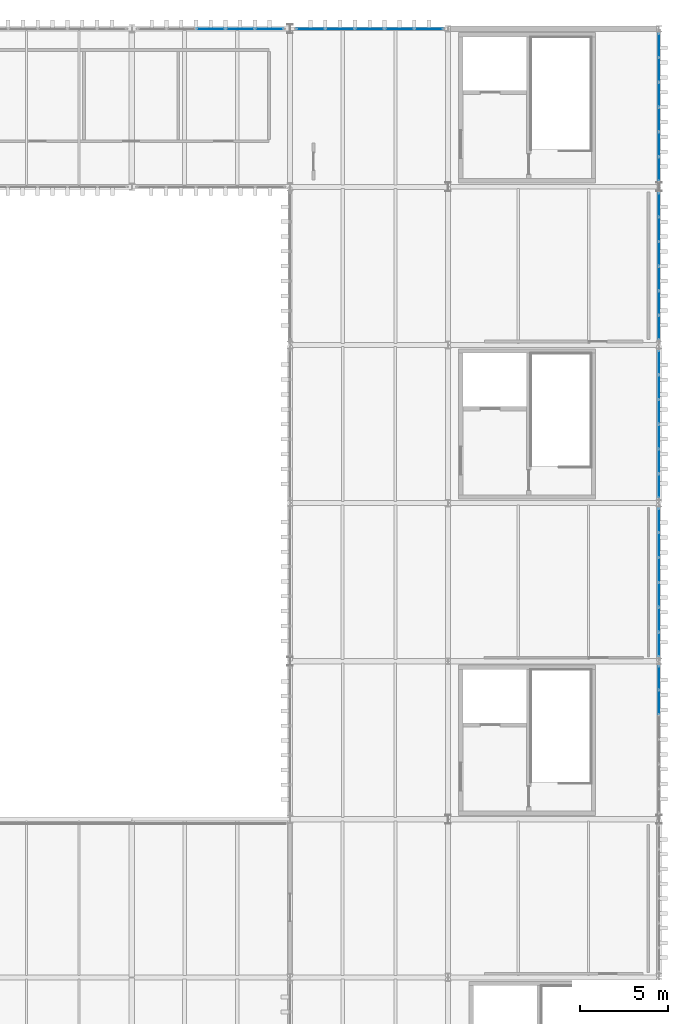
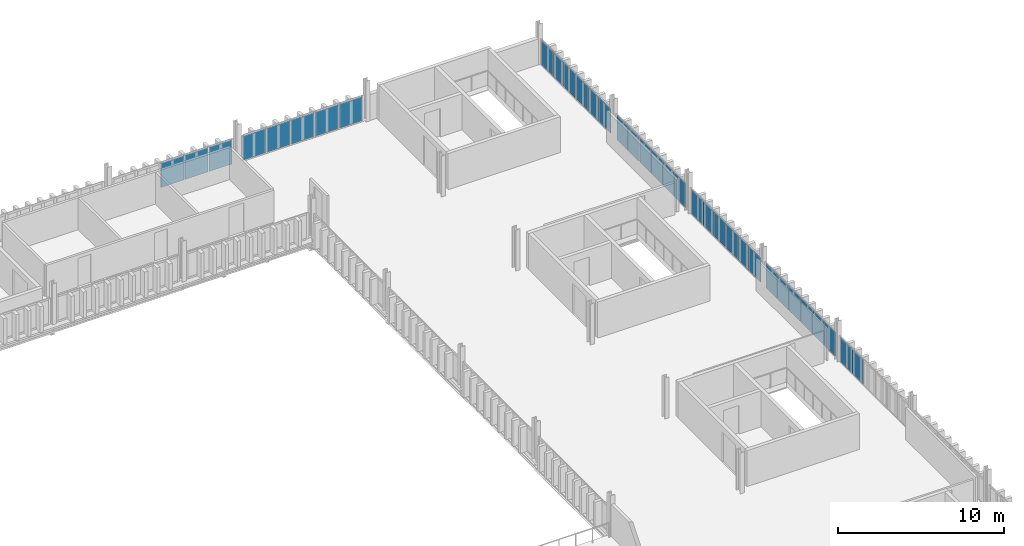
# One storey, part 51 of 58: 34 plates, 7 elements without a shape of their own.
"""IFC4 building model written with IfcOpenShell, lengths in metres."""

from ifc_helpers import new_model, si_unit, direction, frame, origin, origin_2d, place, context, subcontext, project, spatial, rectangle, extrude, material, layer, layer_set, type_object, element, aggregate, save


model = new_model("IFC4")

# Units and contexts
model_context = context("Model", 3, precision=1e-05, world=origin(), true_north=direction((0.0, 1.0)))
body_context = subcontext(model_context, "Body", "Model", "MODEL_VIEW")
ifc_project = project(units=[si_unit("LENGTHUNIT", "METRE"), si_unit("AREAUNIT", "SQUARE_METRE"), si_unit("VOLUMEUNIT", "CUBIC_METRE"), si_unit("PLANEANGLEUNIT", "RADIAN"), si_unit("MASSUNIT", "GRAM", prefix="KILO")], contexts=[model_context])

# Site, building, storey
site_placement = place(None, origin())
site = spatial("IfcSite", under=ifc_project, at=site_placement, CompositionType="ELEMENT")
building_placement = place(site_placement, origin())
building = spatial("IfcBuilding", under=site, at=building_placement, Name="Barlavento Convention Centre", CompositionType="ELEMENT")
storey_placement = place(building_placement, frame((0.0, 0.0, 26.800048828125)))
storey = spatial("IfcBuildingStorey", under=building, at=storey_placement, Name="L05", CompositionType="ELEMENT", Elevation=26.800048828125)

# Curtain wall, plates
ifc_material_1 = material(Name="Powder-coated aluminium and Low-E glass", Category="aluminium")
ifc_layer_1 = layer(ifc_material_1, 0.18994140625)
ifc_layer_set_1 = layer_set([ifc_layer_1], Name="ARC-CW-CONF-L05")
curtain_wall_type = type_object("IfcCurtainWallType", Name="ARC-CW-CONF-L05", PredefinedType="NOTDEFINED", material=ifc_layer_set_1)
curtain_wall_1_placement = place(storey_placement, origin())
curtain_wall_1 = element("IfcCurtainWall", 1, at=curtain_wall_1_placement, inside=storey, type_object=curtain_wall_type, Name="L05 unitised curtain wall CW10", PredefinedType="NOTDEFINED")
ifc_material_2 = material(Name="Double-silver Low-E insulated glass", Category="glass")
ifc_layer_2 = layer(ifc_material_2, 0.028076171875)
ifc_layer_set_2 = layer_set([ifc_layer_2], Name="ARC-CWP-GLZ28")
plate_type = type_object("IfcPlateType", Name="ARC-CWP-GLZ28", PredefinedType="CURTAIN_PANEL", material=ifc_layer_set_2)
plate_1_placement = place(storey_placement, frame((192.0, 60.655029296875, 0.06005859375), z_axis=(0.0, 0.0, 1.0), x_axis=(0.0, 1.0, 0.0)))
plate_1 = element("IfcPlate", 2, at=plate_1_placement, type_object=plate_type, Name="CW10 panel 5.1", PredefinedType="CURTAIN_PANEL", context=body_context, shape_type="SweptSolid", body=[
    extrude(rectangle(XDim=1.35009765625, YDim=0.028076171875, at=origin_2d()), origin(), (0.0, 0.0, 1.0), 1.780029296875),
])
plate_2_placement = place(storey_placement, frame((192.0, 62.050048828125, 0.06005859375), z_axis=(0.0, 0.0, 1.0), x_axis=(0.0, 1.0, 0.0)))
plate_2 = element("IfcPlate", 3, at=plate_2_placement, type_object=plate_type, Name="CW10 panel 6.1", PredefinedType="CURTAIN_PANEL", context=body_context, shape_type="SweptSolid", body=[
    extrude(rectangle(XDim=1.320068359375, YDim=0.028076171875, at=origin_2d()), origin(), (0.0, 0.0, 1.0), 1.780029296875),
])
aggregate(curtain_wall_1, [plate_1, plate_2])

curtain_wall_2_placement = place(storey_placement, origin())
curtain_wall_2 = element("IfcCurtainWall", 4, at=curtain_wall_2_placement, inside=storey, type_object=curtain_wall_type, Name="L05 unitised curtain wall CW10", PredefinedType="NOTDEFINED")
plate_3_placement = place(storey_placement, frame((192.0, 63.9541015625, 0.06005859375), z_axis=(0.0, 0.0, 1.0), x_axis=(0.0, 1.0, 0.0)))
plate_3 = element("IfcPlate", 5, at=plate_3_placement, type_object=plate_type, Name="CW10 panel 1.1", PredefinedType="CURTAIN_PANEL", context=body_context, shape_type="SweptSolid", body=[
    extrude(rectangle(XDim=1.328369140625, YDim=0.028076171875, at=origin_2d()), origin(), (0.0, 0.0, 1.0), 1.780029296875),
])
plate_4_placement = place(storey_placement, frame((192.0, 65.357421875, 0.06005859375), z_axis=(0.0, 0.0, 1.0), x_axis=(0.0, 1.0, 0.0)))
plate_4 = element("IfcPlate", 6, at=plate_4_placement, type_object=plate_type, Name="CW10 panel 2.1", PredefinedType="CURTAIN_PANEL", context=body_context, shape_type="SweptSolid", body=[
    extrude(rectangle(XDim=1.3583984375, YDim=0.028076171875, at=origin_2d()), origin(), (0.0, 0.0, 1.0), 1.780029296875),
])
plate_5_placement = place(storey_placement, frame((192.0, 66.77587890625, 0.06005859375), z_axis=(0.0, 0.0, 1.0), x_axis=(0.0, 1.0, 0.0)))
plate_5 = element("IfcPlate", 7, at=plate_5_placement, type_object=plate_type, Name="CW10 panel 3.1", PredefinedType="CURTAIN_PANEL", context=body_context, shape_type="SweptSolid", body=[
    extrude(rectangle(XDim=1.3583984375, YDim=0.028076171875, at=origin_2d()), origin(), (0.0, 0.0, 1.0), 1.780029296875),
])
plate_6_placement = place(storey_placement, frame((192.0, 68.194091796875, 0.06005859375), z_axis=(0.0, 0.0, 1.0), x_axis=(0.0, 1.0, 0.0)))
plate_6 = element("IfcPlate", 8, at=plate_6_placement, type_object=plate_type, Name="CW10 panel 4.1", PredefinedType="CURTAIN_PANEL", context=body_context, shape_type="SweptSolid", body=[
    extrude(rectangle(XDim=1.3583984375, YDim=0.028076171875, at=origin_2d()), origin(), (0.0, 0.0, 1.0), 1.780029296875),
])
plate_7_placement = place(storey_placement, frame((192.0, 69.612548828125, 0.06005859375), z_axis=(0.0, 0.0, 1.0), x_axis=(0.0, 1.0, 0.0)))
plate_7 = element("IfcPlate", 9, at=plate_7_placement, type_object=plate_type, Name="CW10 panel 5.1", PredefinedType="CURTAIN_PANEL", context=body_context, shape_type="SweptSolid", body=[
    extrude(rectangle(XDim=1.3583984375, YDim=0.028076171875, at=origin_2d()), origin(), (0.0, 0.0, 1.0), 1.780029296875),
])
plate_8_placement = place(storey_placement, frame((192.0, 71.015869140625, 0.06005859375), z_axis=(0.0, 0.0, 1.0), x_axis=(0.0, 1.0, 0.0)))
plate_8 = element("IfcPlate", 10, at=plate_8_placement, type_object=plate_type, Name="CW10 panel 6.1", PredefinedType="CURTAIN_PANEL", context=body_context, shape_type="SweptSolid", body=[
    extrude(rectangle(XDim=1.328369140625, YDim=0.028076171875, at=origin_2d()), origin(), (0.0, 0.0, 1.0), 1.780029296875),
])
aggregate(curtain_wall_2, [plate_3, plate_4, plate_5, plate_6, plate_7, plate_8])

curtain_wall_3_placement = place(storey_placement, origin())
curtain_wall_3 = element("IfcCurtainWall", 11, at=curtain_wall_3_placement, inside=storey, type_object=curtain_wall_type, Name="L05 unitised curtain wall CW10", PredefinedType="NOTDEFINED")
plate_9_placement = place(storey_placement, frame((192.0, 72.9794921875, 0.06005859375), z_axis=(0.0, 0.0, 1.0), x_axis=(0.0, 1.0, 0.0)))
plate_9 = element("IfcPlate", 12, at=plate_9_placement, type_object=plate_type, Name="CW10 panel 1.1", PredefinedType="CURTAIN_PANEL", context=body_context, shape_type="SweptSolid", body=[
    extrude(rectangle(XDim=1.319091796875, YDim=0.028076171875, at=origin_2d()), origin(), (0.0, 0.0, 1.0), 1.780029296875),
])
plate_10_placement = place(storey_placement, frame((192.0, 74.373779296875, 0.06005859375), z_axis=(0.0, 0.0, 1.0), x_axis=(0.0, 1.0, 0.0)))
plate_10 = element("IfcPlate", 13, at=plate_10_placement, type_object=plate_type, Name="CW10 panel 2.1", PredefinedType="CURTAIN_PANEL", context=body_context, shape_type="SweptSolid", body=[
    extrude(rectangle(XDim=1.34912109375, YDim=0.028076171875, at=origin_2d()), origin(), (0.0, 0.0, 1.0), 1.780029296875),
])
plate_11_placement = place(storey_placement, frame((192.0, 75.782958984375, 0.06005859375), z_axis=(0.0, 0.0, 1.0), x_axis=(0.0, 1.0, 0.0)))
plate_11 = element("IfcPlate", 14, at=plate_11_placement, type_object=plate_type, Name="CW10 panel 3.1", PredefinedType="CURTAIN_PANEL", context=body_context, shape_type="SweptSolid", body=[
    extrude(rectangle(XDim=1.34912109375, YDim=0.028076171875, at=origin_2d()), origin(), (0.0, 0.0, 1.0), 1.780029296875),
])
plate_12_placement = place(storey_placement, frame((192.0, 77.192138671875, 0.06005859375), z_axis=(0.0, 0.0, 1.0), x_axis=(0.0, 1.0, 0.0)))
plate_12 = element("IfcPlate", 15, at=plate_12_placement, type_object=plate_type, Name="CW10 panel 4.1", PredefinedType="CURTAIN_PANEL", context=body_context, shape_type="SweptSolid", body=[
    extrude(rectangle(XDim=1.34912109375, YDim=0.028076171875, at=origin_2d()), origin(), (0.0, 0.0, 1.0), 1.780029296875),
])
plate_13_placement = place(storey_placement, frame((192.0, 78.601318359375, 0.06005859375), z_axis=(0.0, 0.0, 1.0), x_axis=(0.0, 1.0, 0.0)))
plate_13 = element("IfcPlate", 16, at=plate_13_placement, type_object=plate_type, Name="CW10 panel 5.1", PredefinedType="CURTAIN_PANEL", context=body_context, shape_type="SweptSolid", body=[
    extrude(rectangle(XDim=1.34912109375, YDim=0.028076171875, at=origin_2d()), origin(), (0.0, 0.0, 1.0), 1.780029296875),
])
plate_14_placement = place(storey_placement, frame((192.0, 79.995361328125, 0.06005859375), z_axis=(0.0, 0.0, 1.0), x_axis=(0.0, 1.0, 0.0)))
plate_14 = element("IfcPlate", 17, at=plate_14_placement, type_object=plate_type, Name="CW10 panel 6.1", PredefinedType="CURTAIN_PANEL", context=body_context, shape_type="SweptSolid", body=[
    extrude(rectangle(XDim=1.319091796875, YDim=0.028076171875, at=origin_2d()), origin(), (0.0, 0.0, 1.0), 1.780029296875),
])
aggregate(curtain_wall_3, [plate_9, plate_10, plate_11, plate_12, plate_13, plate_14])

curtain_wall_4_placement = place(storey_placement, origin())
curtain_wall_4 = element("IfcCurtainWall", 18, at=curtain_wall_4_placement, inside=storey, type_object=curtain_wall_type, Name="L05 unitised curtain wall CW10", PredefinedType="NOTDEFINED")
plate_15_placement = place(storey_placement, frame((192.0, 82.00048828125, 0.06005859375), z_axis=(0.0, 0.0, 1.0), x_axis=(0.0, 1.0, 0.0)))
plate_15 = element("IfcPlate", 19, at=plate_15_placement, type_object=plate_type, Name="CW10 panel 1.1", PredefinedType="CURTAIN_PANEL", context=body_context, shape_type="SweptSolid", body=[
    extrude(rectangle(XDim=1.310791015625, YDim=0.028076171875, at=origin_2d()), origin(), (0.0, 0.0, 1.0), 1.780029296875),
])
plate_16_placement = place(storey_placement, frame((192.0, 83.38623046875, 0.06005859375), z_axis=(0.0, 0.0, 1.0), x_axis=(0.0, 1.0, 0.0)))
plate_16 = element("IfcPlate", 20, at=plate_16_placement, type_object=plate_type, Name="CW10 panel 2.1", PredefinedType="CURTAIN_PANEL", context=body_context, shape_type="SweptSolid", body=[
    extrude(rectangle(XDim=1.3408203125, YDim=0.028076171875, at=origin_2d()), origin(), (0.0, 0.0, 1.0), 1.780029296875),
])
plate_17_placement = place(storey_placement, frame((192.0, 84.787109375, 0.06005859375), z_axis=(0.0, 0.0, 1.0), x_axis=(0.0, 1.0, 0.0)))
plate_17 = element("IfcPlate", 21, at=plate_17_placement, type_object=plate_type, Name="CW10 panel 3.1", PredefinedType="CURTAIN_PANEL", context=body_context, shape_type="SweptSolid", body=[
    extrude(rectangle(XDim=1.3408203125, YDim=0.028076171875, at=origin_2d()), origin(), (0.0, 0.0, 1.0), 1.780029296875),
])
plate_18_placement = place(storey_placement, frame((192.0, 86.18798828125, 0.06005859375), z_axis=(0.0, 0.0, 1.0), x_axis=(0.0, 1.0, 0.0)))
plate_18 = element("IfcPlate", 22, at=plate_18_placement, type_object=plate_type, Name="CW10 panel 4.1", PredefinedType="CURTAIN_PANEL", context=body_context, shape_type="SweptSolid", body=[
    extrude(rectangle(XDim=1.3408203125, YDim=0.028076171875, at=origin_2d()), origin(), (0.0, 0.0, 1.0), 1.780029296875),
])
plate_19_placement = place(storey_placement, frame((192.0, 87.5888671875, 0.06005859375), z_axis=(0.0, 0.0, 1.0), x_axis=(0.0, 1.0, 0.0)))
plate_19 = element("IfcPlate", 23, at=plate_19_placement, type_object=plate_type, Name="CW10 panel 5.1", PredefinedType="CURTAIN_PANEL", context=body_context, shape_type="SweptSolid", body=[
    extrude(rectangle(XDim=1.3408203125, YDim=0.028076171875, at=origin_2d()), origin(), (0.0, 0.0, 1.0), 1.780029296875),
])
plate_20_placement = place(storey_placement, frame((192.0, 88.974609375, 0.06005859375), z_axis=(0.0, 0.0, 1.0), x_axis=(0.0, 1.0, 0.0)))
plate_20 = element("IfcPlate", 24, at=plate_20_placement, type_object=plate_type, Name="CW10 panel 6.1", PredefinedType="CURTAIN_PANEL", context=body_context, shape_type="SweptSolid", body=[
    extrude(rectangle(XDim=1.310791015625, YDim=0.028076171875, at=origin_2d()), origin(), (0.0, 0.0, 1.0), 1.780029296875),
])
aggregate(curtain_wall_4, [plate_15, plate_16, plate_17, plate_18, plate_19, plate_20])

curtain_wall_5_placement = place(storey_placement, origin())
curtain_wall_5 = element("IfcCurtainWall", 25, at=curtain_wall_5_placement, inside=storey, type_object=curtain_wall_type, Name="L05 unitised curtain wall CW10", PredefinedType="NOTDEFINED")
plate_21_placement = place(storey_placement, frame((192.0, 91.030029296875, 0.06005859375), z_axis=(0.0, 0.0, 1.0), x_axis=(0.0, 1.0, 0.0)))
plate_21 = element("IfcPlate", 26, at=plate_21_placement, type_object=plate_type, Name="CW10 panel 1.1", PredefinedType="CURTAIN_PANEL", context=body_context, shape_type="SweptSolid", body=[
    extrude(rectangle(XDim=1.320068359375, YDim=0.028076171875, at=origin_2d()), origin(), (0.0, 0.0, 1.0), 1.780029296875),
])
plate_22_placement = place(storey_placement, frame((192.0, 92.425048828125, 0.06005859375), z_axis=(0.0, 0.0, 1.0), x_axis=(0.0, 1.0, 0.0)))
plate_22 = element("IfcPlate", 27, at=plate_22_placement, type_object=plate_type, Name="CW10 panel 2.1", PredefinedType="CURTAIN_PANEL", context=body_context, shape_type="SweptSolid", body=[
    extrude(rectangle(XDim=1.35009765625, YDim=0.028076171875, at=origin_2d()), origin(), (0.0, 0.0, 1.0), 1.780029296875),
])
plate_23_placement = place(storey_placement, frame((192.0, 93.8349609375, 0.06005859375), z_axis=(0.0, 0.0, 1.0), x_axis=(0.0, 1.0, 0.0)))
plate_23 = element("IfcPlate", 28, at=plate_23_placement, type_object=plate_type, Name="CW10 panel 3.1", PredefinedType="CURTAIN_PANEL", context=body_context, shape_type="SweptSolid", body=[
    extrude(rectangle(XDim=1.35009765625, YDim=0.028076171875, at=origin_2d()), origin(), (0.0, 0.0, 1.0), 1.780029296875),
])
plate_24_placement = place(storey_placement, frame((192.0, 95.2451171875, 0.06005859375), z_axis=(0.0, 0.0, 1.0), x_axis=(0.0, 1.0, 0.0)))
plate_24 = element("IfcPlate", 29, at=plate_24_placement, type_object=plate_type, Name="CW10 panel 4.1", PredefinedType="CURTAIN_PANEL", context=body_context, shape_type="SweptSolid", body=[
    extrude(rectangle(XDim=1.35009765625, YDim=0.028076171875, at=origin_2d()), origin(), (0.0, 0.0, 1.0), 1.780029296875),
])
plate_25_placement = place(storey_placement, frame((192.0, 96.655029296875, 0.06005859375), z_axis=(0.0, 0.0, 1.0), x_axis=(0.0, 1.0, 0.0)))
plate_25 = element("IfcPlate", 30, at=plate_25_placement, type_object=plate_type, Name="CW10 panel 5.1", PredefinedType="CURTAIN_PANEL", context=body_context, shape_type="SweptSolid", body=[
    extrude(rectangle(XDim=1.35009765625, YDim=0.028076171875, at=origin_2d()), origin(), (0.0, 0.0, 1.0), 1.780029296875),
])
plate_26_placement = place(storey_placement, frame((192.0, 98.050048828125, 0.06005859375), z_axis=(0.0, 0.0, 1.0), x_axis=(0.0, 1.0, 0.0)))
plate_26 = element("IfcPlate", 31, at=plate_26_placement, type_object=plate_type, Name="CW10 panel 6.1", PredefinedType="CURTAIN_PANEL", context=body_context, shape_type="SweptSolid", body=[
    extrude(rectangle(XDim=1.320068359375, YDim=0.028076171875, at=origin_2d()), origin(), (0.0, 0.0, 1.0), 1.780029296875),
])
aggregate(curtain_wall_5, [plate_21, plate_22, plate_23, plate_24, plate_25, plate_26])

curtain_wall_6_placement = place(storey_placement, origin())
curtain_wall_6 = element("IfcCurtainWall", 32, at=curtain_wall_6_placement, inside=storey, type_object=curtain_wall_type, Name="L05 unitised curtain wall CW10", PredefinedType="NOTDEFINED")
plate_27_placement = place(storey_placement, frame((166.487548828125, 99.0, 0.06005859375), z_axis=(0.0, 0.0, 1.0), x_axis=(1.0, 0.0, 0.0)))
plate_27 = element("IfcPlate", 33, at=plate_27_placement, type_object=plate_type, Name="CW10 panel 3.1", PredefinedType="CURTAIN_PANEL", context=body_context, shape_type="SweptSolid", body=[
    extrude(rectangle(XDim=1.616943359375, YDim=0.028076171875, at=origin_2d()), origin(), (0.0, 0.0, 1.0), 1.780029296875),
])
plate_28_placement = place(storey_placement, frame((168.16455078125, 99.0, 0.06005859375), z_axis=(0.0, 0.0, 1.0), x_axis=(1.0, 0.0, 0.0)))
plate_28 = element("IfcPlate", 34, at=plate_28_placement, type_object=plate_type, Name="CW10 panel 4.1", PredefinedType="CURTAIN_PANEL", context=body_context, shape_type="SweptSolid", body=[
    extrude(rectangle(XDim=1.616943359375, YDim=0.028076171875, at=origin_2d()), origin(), (0.0, 0.0, 1.0), 1.780029296875),
])
plate_29_placement = place(storey_placement, frame((169.826416015625, 99.0, 0.06005859375), z_axis=(0.0, 0.0, 1.0), x_axis=(1.0, 0.0, 0.0)))
plate_29 = element("IfcPlate", 35, at=plate_29_placement, type_object=plate_type, Name="CW10 panel 5.1", PredefinedType="CURTAIN_PANEL", context=body_context, shape_type="SweptSolid", body=[
    extrude(rectangle(XDim=1.5869140625, YDim=0.028076171875, at=origin_2d()), origin(), (0.0, 0.0, 1.0), 1.780029296875),
])
aggregate(curtain_wall_6, [plate_27, plate_28, plate_29])

curtain_wall_7_placement = place(storey_placement, origin())
curtain_wall_7 = element("IfcCurtainWall", 36, at=curtain_wall_7_placement, inside=storey, type_object=curtain_wall_type, Name="L05 unitised curtain wall CW10", PredefinedType="NOTDEFINED")
plate_30_placement = place(storey_placement, frame((172.178955078125, 99.0, 0.06005859375), z_axis=(0.0, 0.0, 1.0), x_axis=(1.0, 0.0, 0.0)))
plate_30 = element("IfcPlate", 37, at=plate_30_placement, type_object=plate_type, Name="CW10 panel 1.1", PredefinedType="CURTAIN_PANEL", context=body_context, shape_type="SweptSolid", body=[
    extrude(rectangle(XDim=1.597900390625, YDim=0.028076171875, at=origin_2d()), origin(), (0.0, 0.0, 1.0), 1.780029296875),
])
plate_31_placement = place(storey_placement, frame((173.85205078125, 99.0, 0.06005859375), z_axis=(0.0, 0.0, 1.0), x_axis=(1.0, 0.0, 0.0)))
plate_31 = element("IfcPlate", 38, at=plate_31_placement, type_object=plate_type, Name="CW10 panel 2.1", PredefinedType="CURTAIN_PANEL", context=body_context, shape_type="SweptSolid", body=[
    extrude(rectangle(XDim=1.6279296875, YDim=0.028076171875, at=origin_2d()), origin(), (0.0, 0.0, 1.0), 1.780029296875),
])
plate_32_placement = place(storey_placement, frame((175.5400390625, 99.0, 0.06005859375), z_axis=(0.0, 0.0, 1.0), x_axis=(1.0, 0.0, 0.0)))
plate_32 = element("IfcPlate", 39, at=plate_32_placement, type_object=plate_type, Name="CW10 panel 3.1", PredefinedType="CURTAIN_PANEL", context=body_context, shape_type="SweptSolid", body=[
    extrude(rectangle(XDim=1.6279296875, YDim=0.028076171875, at=origin_2d()), origin(), (0.0, 0.0, 1.0), 1.780029296875),
])
plate_33_placement = place(storey_placement, frame((177.22802734375, 99.0, 0.06005859375), z_axis=(0.0, 0.0, 1.0), x_axis=(1.0, 0.0, 0.0)))
plate_33 = element("IfcPlate", 40, at=plate_33_placement, type_object=plate_type, Name="CW10 panel 4.1", PredefinedType="CURTAIN_PANEL", context=body_context, shape_type="SweptSolid", body=[
    extrude(rectangle(XDim=1.6279296875, YDim=0.028076171875, at=origin_2d()), origin(), (0.0, 0.0, 1.0), 1.780029296875),
])
plate_34_placement = place(storey_placement, frame((178.90087890625, 99.0, 0.06005859375), z_axis=(0.0, 0.0, 1.0), x_axis=(1.0, 0.0, 0.0)))
plate_34 = element("IfcPlate", 41, at=plate_34_placement, type_object=plate_type, Name="CW10 panel 5.1", PredefinedType="CURTAIN_PANEL", context=body_context, shape_type="SweptSolid", body=[
    extrude(rectangle(XDim=1.597900390625, YDim=0.028076171875, at=origin_2d()), origin(), (0.0, 0.0, 1.0), 1.780029296875),
])
aggregate(curtain_wall_7, [plate_30, plate_31, plate_32, plate_33, plate_34])

save(model, "model.ifc")
